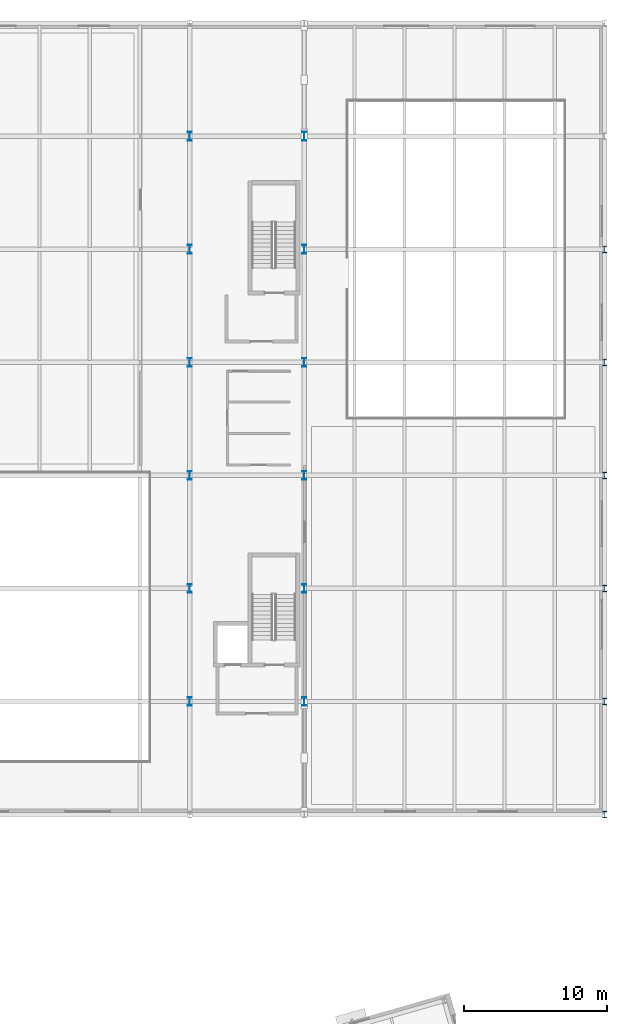
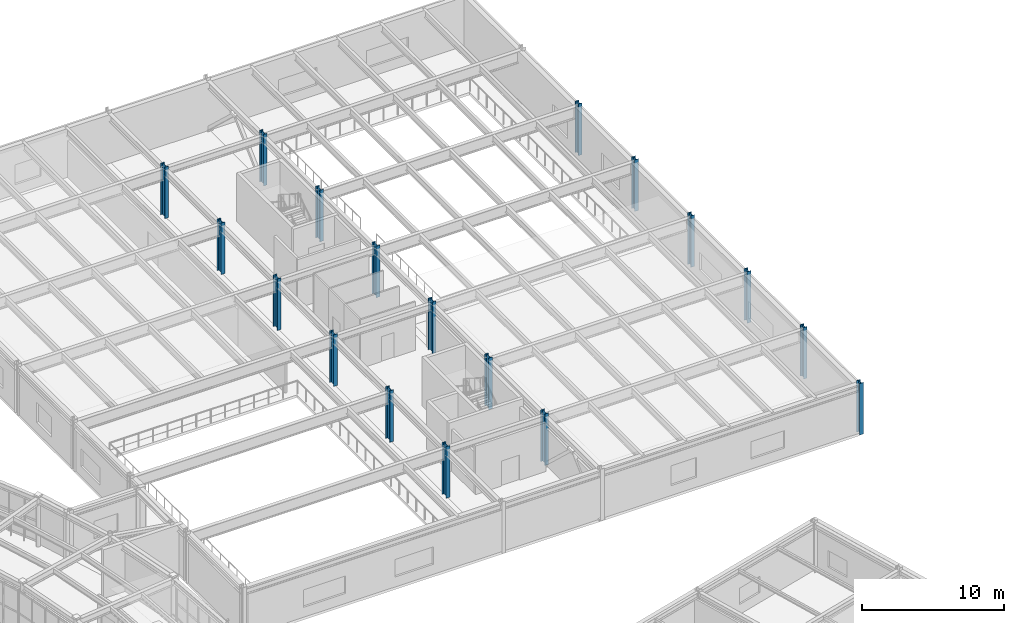
# One storey, part 16 of 103: 18 columns.
"""IFC4 building model written with IfcOpenShell, lengths in metres."""

from ifc_helpers import new_model, si_unit, direction, frame, origin, origin_2d, place, context, subcontext, project, spatial, i_section, extrude, material, material_profile, profile_set, type_object, element, save


model = new_model("IFC4")

# Units and contexts
model_context = context("Model", 3, precision=1e-05, world=origin(), true_north=direction((0.0, 1.0)))
body_context = subcontext(model_context, "Body", "Model", "MODEL_VIEW")
ifc_project = project(units=[si_unit("LENGTHUNIT", "METRE"), si_unit("AREAUNIT", "SQUARE_METRE"), si_unit("VOLUMEUNIT", "CUBIC_METRE"), si_unit("PLANEANGLEUNIT", "RADIAN"), si_unit("MASSUNIT", "GRAM", prefix="KILO")], contexts=[model_context])

# Site, building, storey
site_placement = place(None, origin())
site = spatial("IfcSite", under=ifc_project, at=site_placement, CompositionType="ELEMENT")
building_placement = place(site_placement, origin())
building = spatial("IfcBuilding", under=site, at=building_placement, Name="Varnklinge Art Gallery", CompositionType="ELEMENT")
storey_placement = place(building_placement, frame((0.0, 0.0, 5.10009765625)))
storey = spatial("IfcBuildingStorey", under=building, at=storey_placement, Name="L01", CompositionType="ELEMENT", Elevation=5.10009765625)

# Columns
ifc_material_1 = material(Name="Steel S355", Category="steel")
ifc_material_profile_1 = material_profile(ifc_material_1, i_section(OverallWidth=0.300048828125, OverallDepth=0.60009765625, WebThickness=0.015380859375, FlangeThickness=0.030029296875, FilletRadius=0.027099609375, at=origin_2d()), Name="HEB 600")
ifc_profile_set_1 = profile_set([ifc_material_profile_1], Name="Steel S355")
column_type_1 = type_object("IfcColumnType", Name="COL-04", PredefinedType="COLUMN", material=ifc_profile_set_1)
for number, where, z_axis, x_axis, name in (
    (1, (135.39990234375, 66.10009765625, 0.0), (0.0, 0.0, 1.0), (1.0, 0.0, 0.0), "L01 Column V1C-2-2"),
    (2, (135.39990234375, 74.0, 0.0), (0.0, 0.0, 1.0), (1.0, 0.0, 0.0), "L01 Column V1C-2-3"),
    (3, (135.39990234375, 81.89990234375, 0.0), (0.0, 0.0, 1.0), (1.0, 0.0, 0.0), "L01 Column V1C-2-4"),
    (4, (135.39990234375, 89.800048828125, 0.0), (0.0, 0.0, 1.0), (1.0, 0.0, 0.0), "L01 Column V1C-2-5"),
    (5, (135.39990234375, 97.699951171875, 0.0), (0.0, 0.0, 1.0), (1.0, 0.0, 0.0), "L01 Column V1C-2-6"),
    (6, (135.39990234375, 105.60009765625, 0.0), (0.0, 0.0, 1.0), (1.0, 0.0, 0.0), "L01 Column V1C-2-7"),
    (7, (143.39990234375, 66.10009765625, 0.0), (0.0, 0.0, 1.0), (1.0, 0.0, 0.0), "L01 Column V1C-3-2"),
    (8, (143.39990234375, 74.0, 0.0), (0.0, 0.0, 1.0), (1.0, 0.0, 0.0), "L01 Column V1C-3-3"),
    (9, (143.39990234375, 81.89990234375, 0.0), (0.0, 0.0, 1.0), (1.0, 0.0, 0.0), "L01 Column V1C-3-4"),
    (10, (143.39990234375, 89.800048828125, 0.0), (0.0, 0.0, 1.0), (1.0, 0.0, 0.0), "L01 Column V1C-3-5"),
    (11, (143.39990234375, 97.699951171875, 0.0), (0.0, 0.0, 1.0), (1.0, 0.0, 0.0), "L01 Column V1C-3-6"),
    (12, (143.39990234375, 105.60009765625, 0.0), (0.0, 0.0, 1.0), (1.0, 0.0, 0.0), "L01 Column V1C-3-7"),
):
    element("IfcColumn", number, at=place(storey_placement, frame(where, z_axis=z_axis, x_axis=x_axis)), inside=storey, type_object=column_type_1, Name=name, PredefinedType="COLUMN", context=body_context, shape_type="SweptSolid", body=[
        extrude(i_section(OverallWidth=0.300048828125, OverallDepth=0.60009765625, WebThickness=0.015380859375, FlangeThickness=0.030029296875, FilletRadius=0.027099609375, at=origin_2d()), origin(), (0.0, 0.0, 1.0), 4.419921875),
    ])
ifc_material_2 = material(Name="Steel S355", Category="steel")
ifc_material_profile_2 = material_profile(ifc_material_2, i_section(OverallWidth=0.300048828125, OverallDepth=0.449951171875, WebThickness=0.013916015625, FlangeThickness=0.02587890625, FilletRadius=0.027099609375, at=origin_2d()), Name="HEB 450")
ifc_profile_set_2 = profile_set([ifc_material_profile_2], Name="Steel S355")
column_type_2 = type_object("IfcColumnType", Name="COL-E2", PredefinedType="COLUMN", material=ifc_profile_set_2)
for number, where, z_axis, x_axis, name in (
    (13, (164.39990234375, 58.199951171875, 0.0), (0.0, 0.0, 1.0), (1.0, 0.0, 0.0), "L01 Column V1C-4-1"),
    (14, (164.39990234375, 66.10009765625, 0.0), (0.0, 0.0, 1.0), (1.0, 0.0, 0.0), "L01 Column V1C-4-2"),
    (15, (164.39990234375, 74.0, 0.0), (0.0, 0.0, 1.0), (1.0, 0.0, 0.0), "L01 Column V1C-4-3"),
    (16, (164.39990234375, 81.89990234375, 0.0), (0.0, 0.0, 1.0), (1.0, 0.0, 0.0), "L01 Column V1C-4-4"),
    (17, (164.39990234375, 89.800048828125, 0.0), (0.0, 0.0, 1.0), (1.0, 0.0, 0.0), "L01 Column V1C-4-5"),
    (18, (164.39990234375, 97.699951171875, 0.0), (0.0, 0.0, 1.0), (1.0, 0.0, 0.0), "L01 Column V1C-4-6"),
):
    element("IfcColumn", number, at=place(storey_placement, frame(where, z_axis=z_axis, x_axis=x_axis)), inside=storey, type_object=column_type_2, Name=name, PredefinedType="COLUMN", context=body_context, shape_type="SweptSolid", body=[
        extrude(i_section(OverallWidth=0.300048828125, OverallDepth=0.449951171875, WebThickness=0.013916015625, FlangeThickness=0.02587890625, FilletRadius=0.027099609375, at=origin_2d()), origin(), (0.0, 0.0, 1.0), 4.419921875),
    ])

save(model, "model.ifc")
